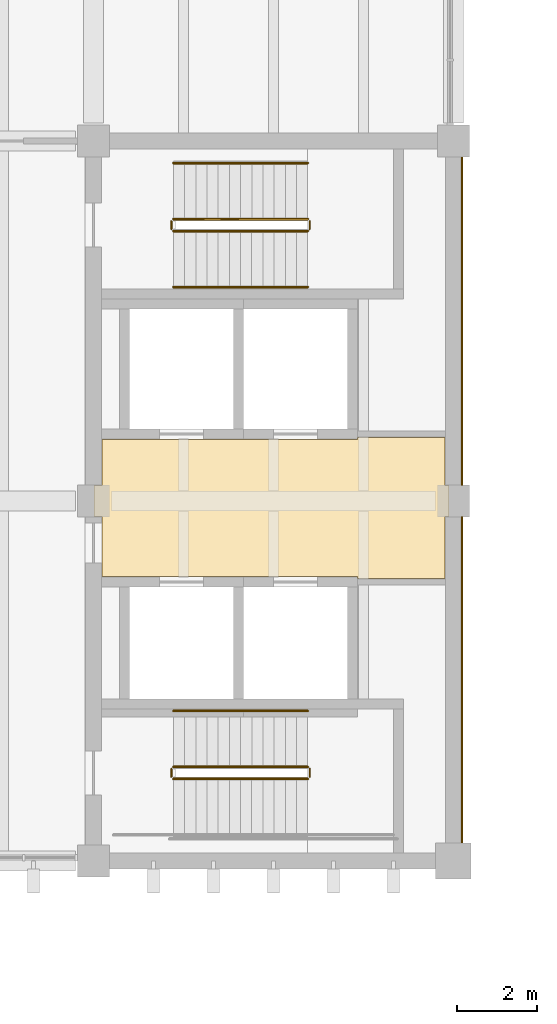
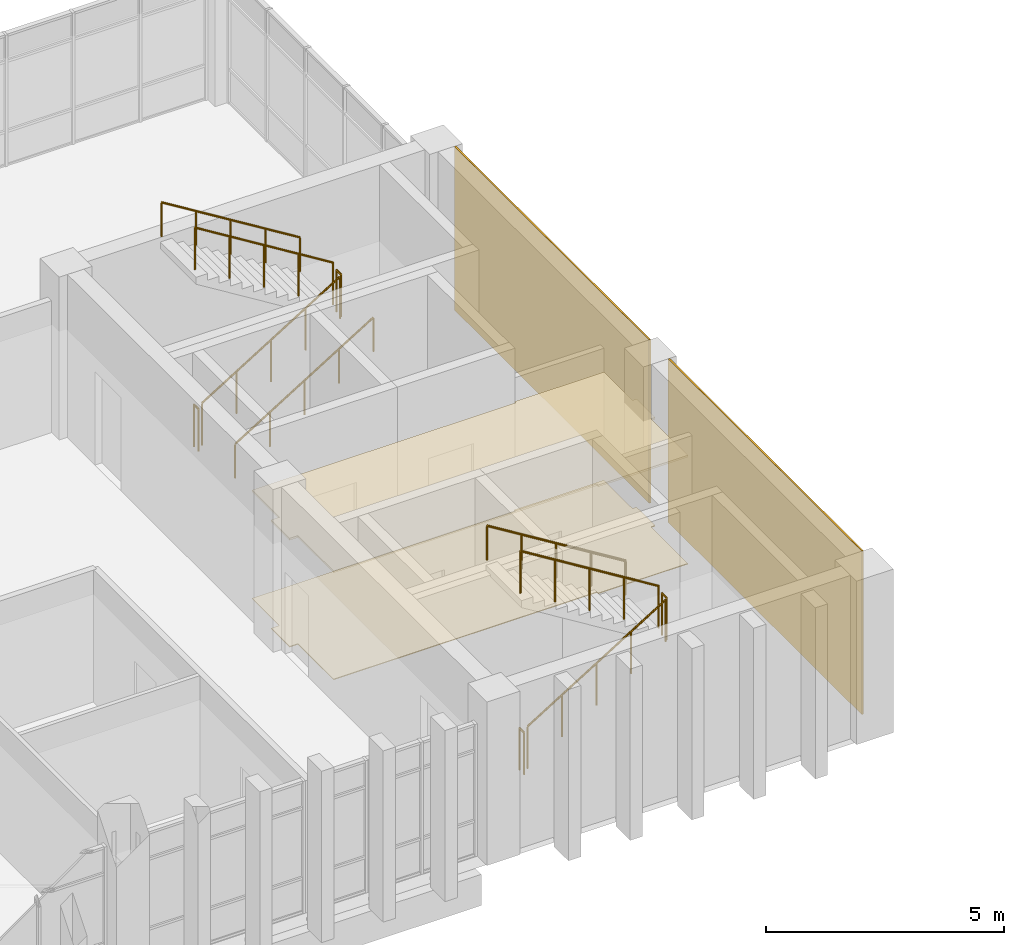
# One storey, part 49 of 50: 11 railings, 4 coverings.
"""IFC4 building model written with IfcOpenShell, lengths in metres."""

from ifc_helpers import new_model, si_unit, direction, frame, origin, origin_2d, place, context, subcontext, project, spatial, polyline, rectangle, circle, outline, extrude, material, layer, layer_set, type_object, element, save


model = new_model("IFC4")

# Units and contexts
model_context = context("Model", 3, precision=1e-05, world=origin(), true_north=direction((0.0, 1.0)))
body_context = subcontext(model_context, "Body", "Model", "MODEL_VIEW")
ifc_project = project(units=[si_unit("LENGTHUNIT", "METRE"), si_unit("AREAUNIT", "SQUARE_METRE"), si_unit("VOLUMEUNIT", "CUBIC_METRE"), si_unit("PLANEANGLEUNIT", "RADIAN"), si_unit("MASSUNIT", "GRAM", prefix="KILO")], contexts=[model_context])

# Site, building, storey
site_placement = place(None, origin())
site = spatial("IfcSite", under=ifc_project, at=site_placement, CompositionType="ELEMENT")
building_placement = place(site_placement, origin())
building = spatial("IfcBuilding", under=site, at=building_placement, Name="Merrow Basin Faculty of Sciences", CompositionType="ELEMENT")
storey_placement = place(building_placement, frame((0.0, 0.0, 18.0)))
storey = spatial("IfcBuildingStorey", under=building, at=storey_placement, Name="L04", CompositionType="ELEMENT", Elevation=18.0)

# Covering
ifc_material_1 = material(Name="Polished terrazzo floor")
ifc_layer_1 = layer(ifc_material_1, 0.02001953125)
ifc_layer_set_1 = layer_set([ifc_layer_1], Name="Polished terrazzo floor")
covering_type_1 = type_object("IfcCoveringType", Name="Polished terrazzo floor", PredefinedType="FLOORING", material=ifc_layer_set_1)
covering_1_placement = place(storey_placement, origin())
element("IfcCovering", 1, at=covering_1_placement, inside=storey, type_object=covering_type_1, Name="Floor finish L04-T-007", PredefinedType="FLOORING", context=body_context, shape_type="SweptSolid", body=[
    extrude(outline(polyline([(45.010009765625, 151.389892578125), (45.2099609375, 151.389892578125), (45.2099609375, 152.5400390625), (51.610107421875, 152.5400390625), (51.610107421875, 152.590087890625), (53.7900390625, 152.590087890625), (53.7900390625, 151.389892578125), (53.889892578125, 151.389892578125), (53.889892578125, 150.610107421875), (53.7900390625, 150.610107421875), (53.7900390625, 149.06005859375), (51.610107421875, 149.06005859375), (51.610107421875, 149.110107421875), (45.2099609375, 149.110107421875), (45.2099609375, 150.610107421875), (45.010009765625, 150.610107421875), (45.010009765625, 151.389892578125)])), origin(), (0.0, 0.0, 1.0), 0.02001953125),
])

# Railings
ifc_material_2 = material(Name="Steel ASTM A36", Category="steel")
railing_type_1 = type_object("IfcRailingType", Name="Steel guard 1100", PredefinedType="GUARDRAIL", material=ifc_material_2)
railing_1_placement = place(storey_placement, frame((47.0, 157.75, 0.173095703125)))
element("IfcRailing", 2, at=railing_1_placement, inside=storey, type_object=railing_type_1, Name="L04 ST-V5-S stair guard 1", PredefinedType="GUARDRAIL", context=body_context, shape_type="SweptSolid", body=[
    extrude(circle(Radius=0.02392578125, at=origin_2d()), frame((0.0, 0.0, 1.076171875), z_axis=(0.850623216509, 0.0, 0.525775754039), x_axis=(0.0, 1.0, 0.0)), (0.0, 0.0, 1.0), 3.9501953125),
    extrude(circle(Radius=0.02099609375, at=origin_2d()), origin(), (0.0, 0.0, 1.0), 1.052001953125),
    extrude(circle(Radius=0.02099609375, at=origin_2d()), frame((0.840087890625, 0.0, 0.519287109375)), (0.0, 0.0, 1.0), 1.052001953125),
    extrude(circle(Radius=0.02099609375, at=origin_2d()), frame((1.68017578125, 0.0, 1.03857421875)), (0.0, 0.0, 1.0), 1.052001953125),
    extrude(circle(Radius=0.02099609375, at=origin_2d()), frame((2.52001953125, 0.0, 1.5576171875)), (0.0, 0.0, 1.0), 1.052001953125),
    extrude(circle(Radius=0.02099609375, at=origin_2d()), frame((3.360107421875, 0.0, 2.076904296875)), (0.0, 0.0, 1.0), 1.052001953125),
])
railing_2_placement = place(storey_placement, frame((50.409912109375, 157.800048828125, 2.25)))
element("IfcRailing", 3, at=railing_2_placement, inside=storey, type_object=railing_type_1, Name="L04 ST-V5-S stair guard 2", PredefinedType="GUARDRAIL", context=body_context, shape_type="SweptSolid", body=[
    extrude(circle(Radius=0.02392578125, at=origin_2d()), frame((0.0, 0.0, 1.076171875), z_axis=(0.0, 1.0, 0.0), x_axis=(-1.0, 0.0, 0.0)), (0.0, 0.0, 1.0), 0.199951171875),
    extrude(circle(Radius=0.02099609375, at=origin_2d()), origin(), (0.0, 0.0, 1.0), 1.052001953125),
    extrude(circle(Radius=0.02099609375, at=origin_2d()), frame((0.0, 0.199951171875, 0.0)), (0.0, 0.0, 1.0), 1.052001953125),
])
railing_3_placement = place(storey_placement, frame((50.360107421875, 158.050048828125, 2.423095703125)))
element("IfcRailing", 4, at=railing_3_placement, inside=storey, type_object=railing_type_1, Name="L04 ST-V5-S stair guard 3", PredefinedType="GUARDRAIL", context=body_context, shape_type="SweptSolid", body=[
    extrude(circle(Radius=0.02392578125, at=origin_2d()), frame((0.0, 0.0, 1.076171875), z_axis=(-0.850623216509, 0.0, 0.525775754039), x_axis=(0.0, -1.0, 0.0)), (0.0, 0.0, 1.0), 3.9501953125),
    extrude(circle(Radius=0.02099609375, at=origin_2d()), origin(), (0.0, 0.0, 1.0), 1.052001953125),
    extrude(circle(Radius=0.02099609375, at=origin_2d()), frame((-0.840087890625, 0.0, 0.519287109375)), (0.0, 0.0, 1.0), 1.052001953125),
    extrude(circle(Radius=0.02099609375, at=origin_2d()), frame((-1.68017578125, 0.0, 1.03857421875)), (0.0, 0.0, 1.0), 1.052001953125),
    extrude(circle(Radius=0.02099609375, at=origin_2d()), frame((-2.52001953125, 0.0, 1.5576171875)), (0.0, 0.0, 1.0), 1.052001953125),
    extrude(circle(Radius=0.02099609375, at=origin_2d()), frame((-3.360107421875, 0.0, 2.076904296875)), (0.0, 0.0, 1.0), 1.052001953125),
])
railing_4_placement = place(storey_placement, frame((46.949951171875, 157.800048828125, 0.0)))
element("IfcRailing", 5, at=railing_4_placement, inside=storey, type_object=railing_type_1, Name="L04 ST-V5-S stair guard 4", PredefinedType="GUARDRAIL", context=body_context, shape_type="SweptSolid", body=[
    extrude(circle(Radius=0.02392578125, at=origin_2d()), frame((0.0, 0.0, 1.076171875), z_axis=(0.0, 1.0, 0.0), x_axis=(-1.0, 0.0, 0.0)), (0.0, 0.0, 1.0), 0.199951171875),
    extrude(circle(Radius=0.02099609375, at=origin_2d()), origin(), (0.0, 0.0, 1.0), 1.052001953125),
    extrude(circle(Radius=0.02099609375, at=origin_2d()), frame((0.0, 0.199951171875, 0.0)), (0.0, 0.0, 1.0), 1.052001953125),
])
railing_5_placement = place(storey_placement, frame((47.0, 144.050048828125, 0.173095703125)))
element("IfcRailing", 6, at=railing_5_placement, inside=storey, type_object=railing_type_1, Name="L04 ST-V5-N stair guard 1", PredefinedType="GUARDRAIL", context=body_context, shape_type="SweptSolid", body=[
    extrude(circle(Radius=0.02392578125, at=origin_2d()), frame((0.0, 0.0, 1.076171875), z_axis=(0.850623216509, 0.0, 0.525775754039), x_axis=(0.0, 1.0, 0.0)), (0.0, 0.0, 1.0), 3.9501953125),
    extrude(circle(Radius=0.02099609375, at=origin_2d()), origin(), (0.0, 0.0, 1.0), 1.052001953125),
    extrude(circle(Radius=0.02099609375, at=origin_2d()), frame((0.840087890625, 0.0, 0.519287109375)), (0.0, 0.0, 1.0), 1.052001953125),
    extrude(circle(Radius=0.02099609375, at=origin_2d()), frame((1.68017578125, 0.0, 1.03857421875)), (0.0, 0.0, 1.0), 1.052001953125),
    extrude(circle(Radius=0.02099609375, at=origin_2d()), frame((2.52001953125, 0.0, 1.5576171875)), (0.0, 0.0, 1.0), 1.052001953125),
    extrude(circle(Radius=0.02099609375, at=origin_2d()), frame((3.360107421875, 0.0, 2.076904296875)), (0.0, 0.0, 1.0), 1.052001953125),
])
railing_6_placement = place(storey_placement, frame((50.409912109375, 144.10009765625, 2.25)))
element("IfcRailing", 7, at=railing_6_placement, inside=storey, type_object=railing_type_1, Name="L04 ST-V5-N stair guard 2", PredefinedType="GUARDRAIL", context=body_context, shape_type="SweptSolid", body=[
    extrude(circle(Radius=0.02392578125, at=origin_2d()), frame((0.0, 0.0, 1.076171875), z_axis=(0.0, 1.0, 0.0), x_axis=(-1.0, 0.0, 0.0)), (0.0, 0.0, 1.0), 0.199951171875),
    extrude(circle(Radius=0.02099609375, at=origin_2d()), origin(), (0.0, 0.0, 1.0), 1.052001953125),
    extrude(circle(Radius=0.02099609375, at=origin_2d()), frame((0.0, 0.199951171875, 0.0)), (0.0, 0.0, 1.0), 1.052001953125),
])
railing_7_placement = place(storey_placement, frame((50.360107421875, 144.35009765625, 2.423095703125)))
element("IfcRailing", 8, at=railing_7_placement, inside=storey, type_object=railing_type_1, Name="L04 ST-V5-N stair guard 4", PredefinedType="GUARDRAIL", context=body_context, shape_type="SweptSolid", body=[
    extrude(circle(Radius=0.02392578125, at=origin_2d()), frame((0.0, 0.0, 1.076171875), z_axis=(-0.850623216509, 0.0, 0.525775754039), x_axis=(0.0, -1.0, 0.0)), (0.0, 0.0, 1.0), 3.9501953125),
    extrude(circle(Radius=0.02099609375, at=origin_2d()), origin(), (0.0, 0.0, 1.0), 1.052001953125),
    extrude(circle(Radius=0.02099609375, at=origin_2d()), frame((-0.840087890625, 0.0, 0.519287109375)), (0.0, 0.0, 1.0), 1.052001953125),
    extrude(circle(Radius=0.02099609375, at=origin_2d()), frame((-1.68017578125, 0.0, 1.03857421875)), (0.0, 0.0, 1.0), 1.052001953125),
    extrude(circle(Radius=0.02099609375, at=origin_2d()), frame((-2.52001953125, 0.0, 1.5576171875)), (0.0, 0.0, 1.0), 1.052001953125),
    extrude(circle(Radius=0.02099609375, at=origin_2d()), frame((-3.360107421875, 0.0, 2.076904296875)), (0.0, 0.0, 1.0), 1.052001953125),
])
railing_8_placement = place(storey_placement, frame((46.949951171875, 144.10009765625, 0.0)))
element("IfcRailing", 9, at=railing_8_placement, inside=storey, type_object=railing_type_1, Name="L04 ST-V5-N stair guard 5", PredefinedType="GUARDRAIL", context=body_context, shape_type="SweptSolid", body=[
    extrude(circle(Radius=0.02392578125, at=origin_2d()), frame((0.0, 0.0, 1.076171875), z_axis=(0.0, 1.0, 0.0), x_axis=(-1.0, 0.0, 0.0)), (0.0, 0.0, 1.0), 0.199951171875),
    extrude(circle(Radius=0.02099609375, at=origin_2d()), origin(), (0.0, 0.0, 1.0), 1.052001953125),
    extrude(circle(Radius=0.02099609375, at=origin_2d()), frame((0.0, 0.199951171875, 0.0)), (0.0, 0.0, 1.0), 1.052001953125),
])
ifc_material_3 = material(Name="Steel ASTM A36", Category="steel")
railing_type_2 = type_object("IfcRailingType", Name="Steel handrail 900", PredefinedType="HANDRAIL", material=ifc_material_3)
railing_9_placement = place(storey_placement, frame((47.0, 156.35009765625, 0.173095703125)))
element("IfcRailing", 10, at=railing_9_placement, inside=storey, type_object=railing_type_2, Name="L04 ST-V5-S stair handrail 1", PredefinedType="HANDRAIL", context=body_context, shape_type="SweptSolid", body=[
    extrude(circle(Radius=0.02392578125, at=origin_2d()), frame((0.0, 0.0, 0.8759765625), z_axis=(0.850623216509, 0.0, 0.525775754039), x_axis=(0.0, 1.0, 0.0)), (0.0, 0.0, 1.0), 3.9501953125),
    extrude(circle(Radius=0.02099609375, at=origin_2d()), origin(), (0.0, 0.0, 1.0), 0.851806640625),
    extrude(circle(Radius=0.02099609375, at=origin_2d()), frame((0.840087890625, 0.0, 0.519287109375)), (0.0, 0.0, 1.0), 0.851806640625),
    extrude(circle(Radius=0.02099609375, at=origin_2d()), frame((1.68017578125, 0.0, 1.03857421875)), (0.0, 0.0, 1.0), 0.851806640625),
    extrude(circle(Radius=0.02099609375, at=origin_2d()), frame((2.52001953125, 0.0, 1.5576171875)), (0.0, 0.0, 1.0), 0.851806640625),
    extrude(circle(Radius=0.02099609375, at=origin_2d()), frame((3.360107421875, 0.0, 2.076904296875)), (0.0, 0.0, 1.0), 0.851806640625),
])
for number, where, name in (
    (11, (50.360107421875, 159.449951171875, 2.423095703125), "L04 ST-V5-S stair handrail 2"),
    (12, (50.360107421875, 145.75, 2.423095703125), "L04 ST-V5-N stair handrail 2"),
):
    element("IfcRailing", number, at=place(storey_placement, frame(where)), inside=storey, type_object=railing_type_2, Name=name, PredefinedType="HANDRAIL", context=body_context, shape_type="SweptSolid", body=[
        extrude(circle(Radius=0.02392578125, at=origin_2d()), frame((0.0, 0.0, 0.8759765625), z_axis=(-0.850623216509, 0.0, 0.525775754039), x_axis=(0.0, -1.0, 0.0)), (0.0, 0.0, 1.0), 3.9501953125),
        extrude(circle(Radius=0.02099609375, at=origin_2d()), origin(), (0.0, 0.0, 1.0), 0.851806640625),
        extrude(circle(Radius=0.02099609375, at=origin_2d()), frame((-0.840087890625, 0.0, 0.519287109375)), (0.0, 0.0, 1.0), 0.851806640625),
        extrude(circle(Radius=0.02099609375, at=origin_2d()), frame((-1.68017578125, 0.0, 1.03857421875)), (0.0, 0.0, 1.0), 0.851806640625),
        extrude(circle(Radius=0.02099609375, at=origin_2d()), frame((-2.52001953125, 0.0, 1.5576171875)), (0.0, 0.0, 1.0), 0.851806640625),
        extrude(circle(Radius=0.02099609375, at=origin_2d()), frame((-3.360107421875, 0.0, 2.076904296875)), (0.0, 0.0, 1.0), 0.851806640625),
    ])

# Coverings
ifc_material_4 = material(Name="Mineral fibre ceiling tile")
ifc_layer_2 = layer(ifc_material_4, 0.050048828125)
ifc_layer_set_2 = layer_set([ifc_layer_2], Name="Suspended acoustic ceiling tile")
covering_type_2 = type_object("IfcCoveringType", Name="Suspended acoustic ceiling tile", PredefinedType="CEILING", material=ifc_layer_set_2)
covering_2_placement = place(storey_placement, frame((0.0, 0.0, 2.75)))
element("IfcCovering", 13, at=covering_2_placement, inside=storey, type_object=covering_type_2, Name="Ceiling L04-T-007", PredefinedType="CEILING", context=body_context, shape_type="SweptSolid", body=[
    extrude(outline(polyline([(45.010009765625, 151.389892578125), (45.2099609375, 151.389892578125), (45.2099609375, 152.5400390625), (51.610107421875, 152.5400390625), (51.610107421875, 152.590087890625), (53.7900390625, 152.590087890625), (53.7900390625, 151.389892578125), (53.889892578125, 151.389892578125), (53.889892578125, 150.610107421875), (53.7900390625, 150.610107421875), (53.7900390625, 149.06005859375), (51.610107421875, 149.06005859375), (51.610107421875, 149.110107421875), (45.2099609375, 149.110107421875), (45.2099609375, 150.610107421875), (45.010009765625, 150.610107421875), (45.010009765625, 151.389892578125)])), origin(), (0.0, 0.0, 1.0), 0.050048828125),
])
ifc_material_5 = material(Name="White powder-coated aluminium", Category="aluminium")
ifc_layer_3 = layer(ifc_material_5, 0.0400390625)
ifc_layer_set_3 = layer_set([ifc_layer_3], Name="White precast cladding 40")
covering_type_3 = type_object("IfcCoveringType", Name="White precast cladding 40", PredefinedType="CLADDING", material=ifc_layer_set_3)
covering_3_placement = place(storey_placement, frame((54.219970703125, 155.5, 0.0), z_axis=(0.0, 0.0, 1.0), x_axis=(1.0, 0.0, 0.0)))
element("IfcCovering", 14, at=covering_3_placement, inside=storey, type_object=covering_type_3, Name="White core cladding", PredefinedType="CLADDING", context=body_context, shape_type="SweptSolid", body=[
    extrude(rectangle(XDim=0.0400390625, YDim=8.199951171875, at=origin_2d()), origin(), (0.0, 0.0, 1.0), 4.199951171875),
])
covering_4_placement = place(storey_placement, frame((54.219970703125, 146.52490234375, 0.0), z_axis=(0.0, 0.0, 1.0), x_axis=(1.0, 0.0, 0.0)))
element("IfcCovering", 15, at=covering_4_placement, inside=storey, type_object=covering_type_3, Name="White core cladding", PredefinedType="CLADDING", context=body_context, shape_type="SweptSolid", body=[
    extrude(rectangle(XDim=0.0400390625, YDim=8.14990234375, at=origin_2d()), origin(), (0.0, 0.0, 1.0), 4.199951171875),
])

save(model, "model.ifc")
